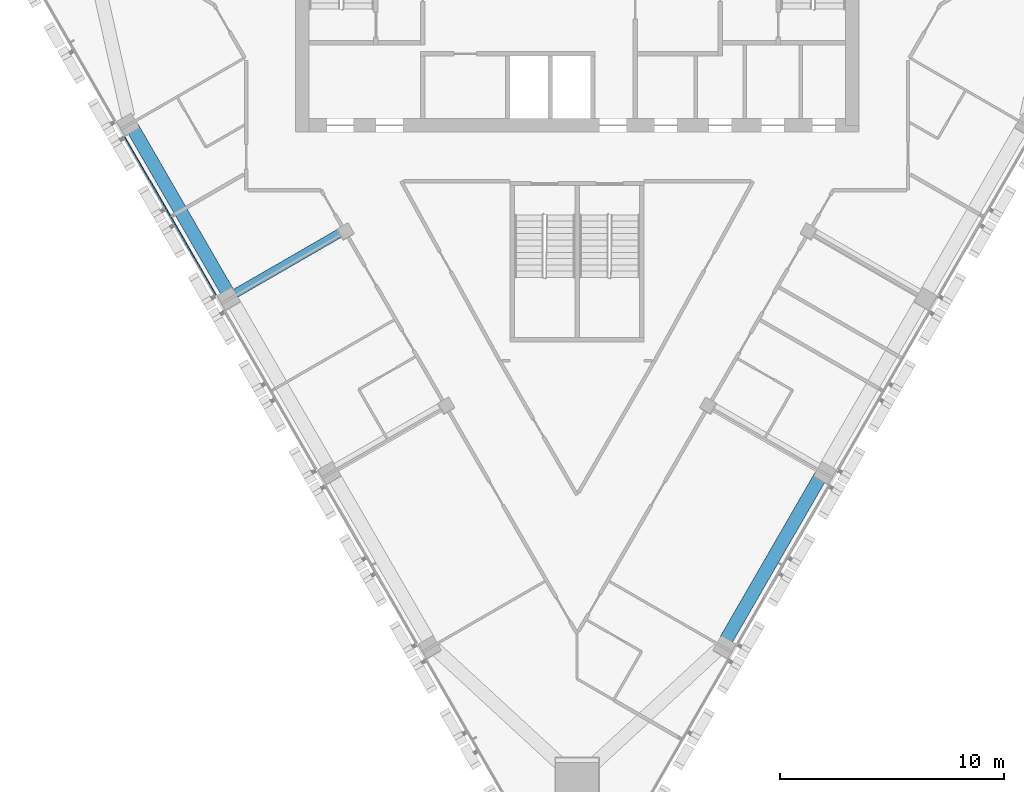
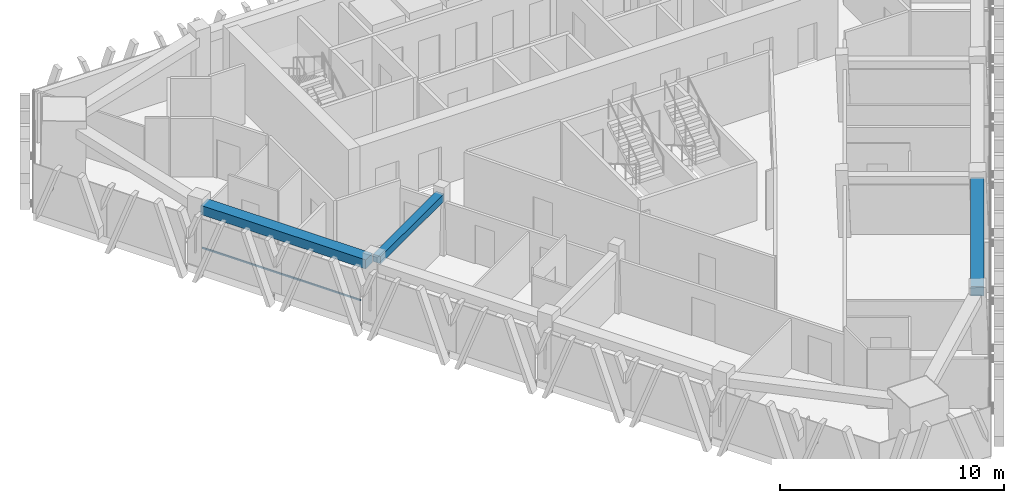
# One storey, part 3 of 14: 3 beams, 1 member, 1 element without a shape of its own.
"""IFC4 building model written with IfcOpenShell, lengths in metres."""

from ifc_helpers import new_model, si_unit, direction, frame, origin, origin_2d, place, context, subcontext, project, spatial, rectangle, extrude, material, layer, layer_set, material_profile, profile_set, type_object, element, aggregate, save


model = new_model("IFC4")

# Units and contexts
model_context = context("Model", 3, precision=1e-05, world=origin(), true_north=direction((0.0, 1.0)))
body_context = subcontext(model_context, "Body", "Model", "MODEL_VIEW")
ifc_project = project(units=[si_unit("LENGTHUNIT", "METRE"), si_unit("AREAUNIT", "SQUARE_METRE"), si_unit("VOLUMEUNIT", "CUBIC_METRE"), si_unit("PLANEANGLEUNIT", "RADIAN"), si_unit("MASSUNIT", "GRAM", prefix="KILO")], contexts=[model_context])

# Site, building, storey
site_placement = place(None, origin())
site = spatial("IfcSite", under=ifc_project, at=site_placement, CompositionType="ELEMENT")
building_placement = place(site_placement, origin())
building = spatial("IfcBuilding", under=site, at=building_placement, Name="Altiplano Prism Tower", CompositionType="ELEMENT")
storey_placement = place(building_placement, frame((0.0, 0.0, 226.60009765625)))
storey = spatial("IfcBuildingStorey", under=building, at=storey_placement, Name="L58", CompositionType="ELEMENT", Elevation=226.60009765625)

# Curtain wall, member
ifc_material_1 = material(Name="Aluminium and glass", Category="aluminium")
ifc_layer = layer(ifc_material_1, 0.280029296875)
ifc_layer_set = layer_set([ifc_layer], Name="Aluminium and glass")
curtain_wall_type = type_object("IfcCurtainWallType", Name="CW1 typical co-living unitised curtain wall", PredefinedType="NOTDEFINED", material=ifc_layer_set)
curtain_wall_placement = place(storey_placement, origin())
curtain_wall = element("IfcCurtainWall", 1, at=curtain_wall_placement, inside=storey, type_object=curtain_wall_type, Name="CW1 curtain wall south-west face L58", PredefinedType="NOTDEFINED")
ifc_material_2 = material(Name="Aluminium", Category="aluminium")
ifc_material_profile_1 = material_profile(ifc_material_2, rectangle(XDim=0.06005859375, YDim=0.080078125, at=origin_2d()), Name="CW1 transom 80 x 60")
ifc_profile_set_1 = profile_set([ifc_material_profile_1], Name="Aluminium")
member_type = type_object("IfcMemberType", Name="CW1 transom 80 x 60", PredefinedType="USERDEFINED", material=ifc_profile_set_1)
member_placement = place(storey_placement, frame((64.746826171875, 92.582763671875, 1.099853515625), z_axis=(0.499995783154, -0.866027838368, 0.0), x_axis=(0.866027838368, 0.499995783154, 0.0)))
member = element("IfcMember", 2, at=member_placement, type_object=member_type, Name="CW1 transom", ObjectType="TRANSOM", PredefinedType="USERDEFINED", context=body_context, shape_type="SweptSolid", body=[
    extrude(rectangle(XDim=0.06005859375, YDim=0.080078125, at=origin_2d()), origin(), (0.0, 0.0, 1.0), 8.169921875),
])
aggregate(curtain_wall, [member])

# Beams
ifc_material_3 = material(Name="Concrete C60/75", Category="concrete")
ifc_material_profile_2 = material_profile(ifc_material_3, rectangle(XDim=0.60009765625, YDim=0.5, at=origin_2d()), Name="Edge beam 600x500")
ifc_profile_set_2 = profile_set([ifc_material_profile_2], Name="Concrete C60/75")
beam_type_1 = type_object("IfcBeamType", Name="Edge beam 600x500", PredefinedType="SPANDREL", material=ifc_profile_set_2)
for number, where, z_axis, x_axis, name in (
    (3, (65.095703125, 93.015625, 2.949951171875), (0.49998963237, -0.866031389456, 0.0), (0.866031389456, 0.49998963237, 0.0), "Edge beam P11-P12 L59"),
    (4, (91.659423828125, 70.07470703125, 2.949951171875), (0.49998963237, 0.866031389456, 0.0), (-0.866031389456, 0.49998963237, 0.0), "Edge beam P21-P22 L59"),
):
    element("IfcBeam", number, at=place(storey_placement, frame(where, z_axis=z_axis, x_axis=x_axis)), inside=storey, type_object=beam_type_1, Name=name, PredefinedType="SPANDREL", context=body_context, shape_type="SweptSolid", body=[
        extrude(rectangle(XDim=0.60009765625, YDim=0.5, at=origin_2d()), origin(), (0.0, 0.0, 1.0), 8.489990234375),
    ])
ifc_material_profile_3 = material_profile(ifc_material_3, rectangle(XDim=0.39990234375, YDim=0.39990234375, at=origin_2d()), Name="Tie beam 400x400")
ifc_profile_set_3 = profile_set([ifc_material_profile_3], Name="Concrete C60/75")
beam_type_2 = type_object("IfcBeamType", Name="Tie beam 400x400", PredefinedType="BEAM", material=ifc_profile_set_3)
beam_placement = place(storey_placement, frame((74.573486328125, 88.389892578125, 3.0), z_axis=(-0.866026281646, -0.499998479497, 0.0), x_axis=(0.499998479497, -0.866026281646, 0.0)))
element("IfcBeam", 5, at=beam_placement, inside=storey, type_object=beam_type_2, Name="Tie beam I12 L59", PredefinedType="BEAM", context=body_context, shape_type="SweptSolid", body=[
    extrude(rectangle(XDim=0.39990234375, YDim=0.39990234375, at=origin_2d()), origin(), (0.0, 0.0, 1.0), 5.64013671875),
])

save(model, "model.ifc")
